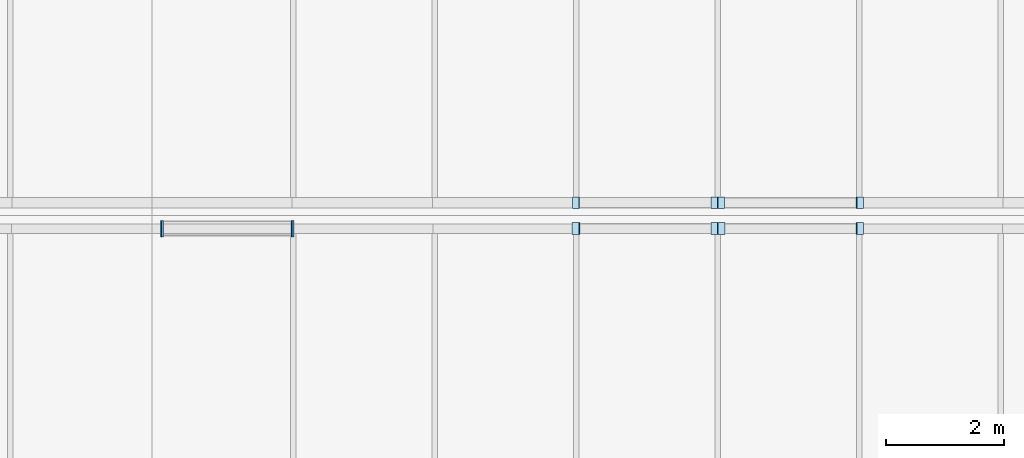
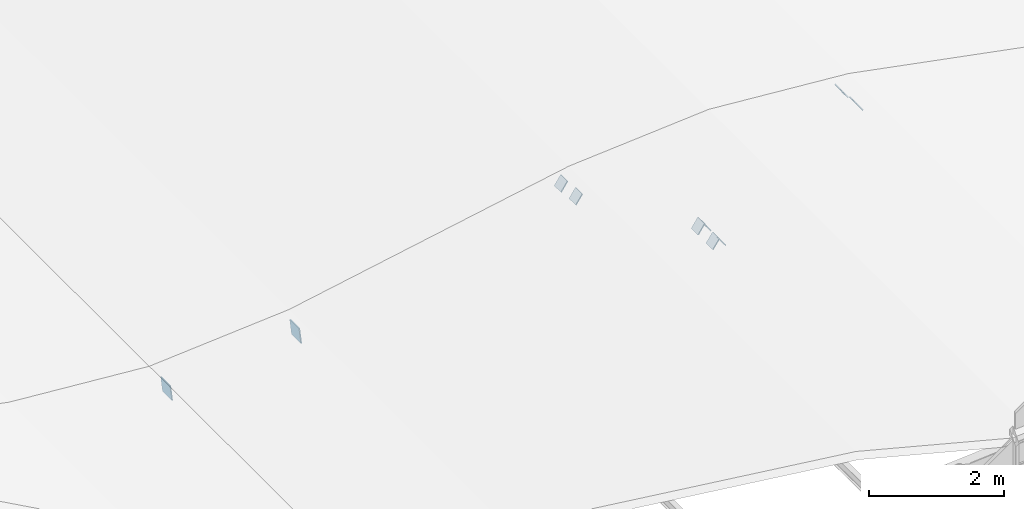
# One storey, part 146 of 170: 10 plates.
"""IFC4 building model written with IfcOpenShell, lengths in metres."""

from ifc_helpers import new_model, si_unit, direction, frame, origin, origin_2d, place, context, subcontext, project, spatial, rectangle, extrude, material, layer, layer_set, type_object, element, save


model = new_model("IFC4")

# Units and contexts
model_context = context("Model", 3, precision=1e-05, world=origin(), true_north=direction((0.0, 1.0)))
body_context = subcontext(model_context, "Body", "Model", "MODEL_VIEW")
ifc_project = project(units=[si_unit("LENGTHUNIT", "METRE"), si_unit("AREAUNIT", "SQUARE_METRE"), si_unit("VOLUMEUNIT", "CUBIC_METRE"), si_unit("PLANEANGLEUNIT", "RADIAN"), si_unit("MASSUNIT", "GRAM", prefix="KILO")], contexts=[model_context])

# Site, building, storey
site_placement = place(None, origin())
site = spatial("IfcSite", under=ifc_project, at=site_placement, CompositionType="ELEMENT")
building_placement = place(site_placement, origin())
building = spatial("IfcBuilding", under=site, at=building_placement, Name="Coralgate Yard Interchange", CompositionType="ELEMENT")
storey_placement = place(building_placement, frame((0.0, 0.0, 6.0)))
storey = spatial("IfcBuildingStorey", under=building, at=storey_placement, Name="L01", CompositionType="ELEMENT", Elevation=6.0)

# Plates
ifc_material = material(Name="Structural steel S355J2", Category="steel")
ifc_layer = layer(ifc_material, 0.01806640625)
ifc_layer_set = layer_set([ifc_layer], Name="Structural steel S355J2")
plate_type = type_object("IfcPlateType", Name="PLT-EP-18", PredefinedType="USERDEFINED", material=ifc_layer_set)
for number, where, z_axis, x_axis, name in (
    (1, (105.538330078125, 105.3798828125, -0.678955078125), (0.821435746077, 0.0, -0.570301074054), (0.0, 1.0, 0.0), "Steel hollow section end cap plate CAP-WVBR-R1-W4-N-L-0"),
    (2, (103.20166015625, 105.3798828125, 0.943359375), (-0.821435746077, 0.0, 0.570301074054), (0.0, -1.0, 0.0), "Steel hollow section end cap plate CAP-WVBR-R1-W4-N-L-1"),
    (3, (105.66162109375, 105.3798828125, -0.678955078125), (-0.821435746077, 0.0, -0.570301074054), (0.0, -1.0, 0.0), "Steel hollow section end cap plate CAP-WVBR-R1-W4-N-R-0"),
    (4, (107.99853515625, 105.3798828125, 0.943359375), (0.821435746077, 0.0, 0.570301074054), (0.0, 1.0, 0.0), "Steel hollow section end cap plate CAP-WVBR-R1-W4-N-R-1"),
    (5, (105.538330078125, 105.820068359375, -0.6787109375), (0.827189409026, 0.0, -0.561923199018), (0.0, 1.0, 0.0), "Steel hollow section end cap plate CAP-WVBR-R2-W4-S-L-0"),
    (6, (103.20166015625, 105.820068359375, 0.908447265625), (-0.827189409026, 0.0, 0.561923199018), (0.0, -1.0, 0.0), "Steel hollow section end cap plate CAP-WVBR-R2-W4-S-L-1"),
    (7, (105.661865234375, 105.820068359375, -0.6787109375), (-0.827189409026, 0.0, -0.561923199018), (0.0, -1.0, 0.0), "Steel hollow section end cap plate CAP-WVBR-R2-W4-S-R-0"),
    (8, (107.998291015625, 105.820068359375, 0.908447265625), (0.827189409026, 0.0, 0.561923199018), (0.0, 1.0, 0.0), "Steel hollow section end cap plate CAP-WVBR-R2-W4-S-R-1"),
):
    element("IfcPlate", number, at=place(storey_placement, frame(where, z_axis=z_axis, x_axis=x_axis)), inside=storey, type_object=plate_type, Name=name, ObjectType="CAP PLATE", PredefinedType="USERDEFINED", context=body_context, shape_type="SweptSolid", body=[
        extrude(rectangle(XDim=0.197998046875, YDim=0.197998046875, at=origin_2d()), origin(), (0.0, 0.0, 1.0), 0.01806640625),
    ])
for number, where, z_axis, x_axis, name in (
    (9, (96.18212890625, 105.3798828125, -0.079833984375), (-0.993088841046, 0.0, -0.117365045005), (0.0, -1.0, 0.0), "Steel hollow section end cap plate CAP-WSUB-04-0"),
    (10, (98.3779296875, 105.3798828125, 0.179931640625), (0.993088841046, 0.0, 0.117365045005), (0.0, 1.0, 0.0), "Steel hollow section end cap plate CAP-WSUB-04-1"),
):
    element("IfcPlate", number, at=place(storey_placement, frame(where, z_axis=z_axis, x_axis=x_axis)), inside=storey, type_object=plate_type, Name=name, ObjectType="CAP PLATE", PredefinedType="USERDEFINED", context=body_context, shape_type="SweptSolid", body=[
        extrude(rectangle(XDim=0.280029296875, YDim=0.280029296875, at=origin_2d()), origin(), (0.0, 0.0, 1.0), 0.01806640625),
    ])

save(model, "model.ifc")
